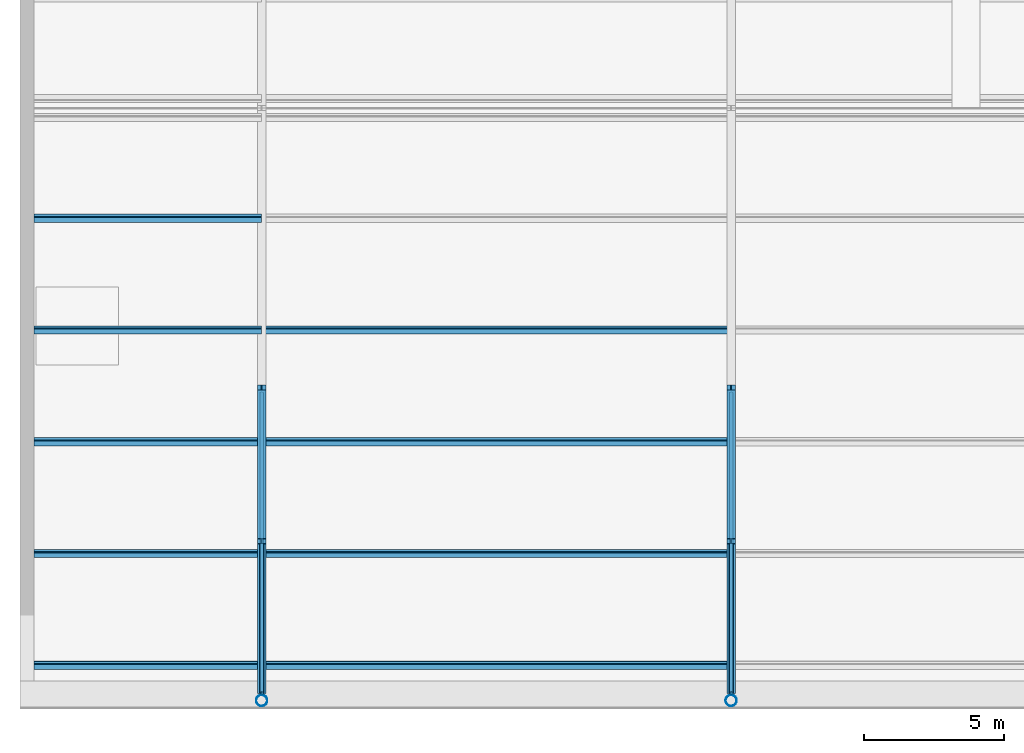
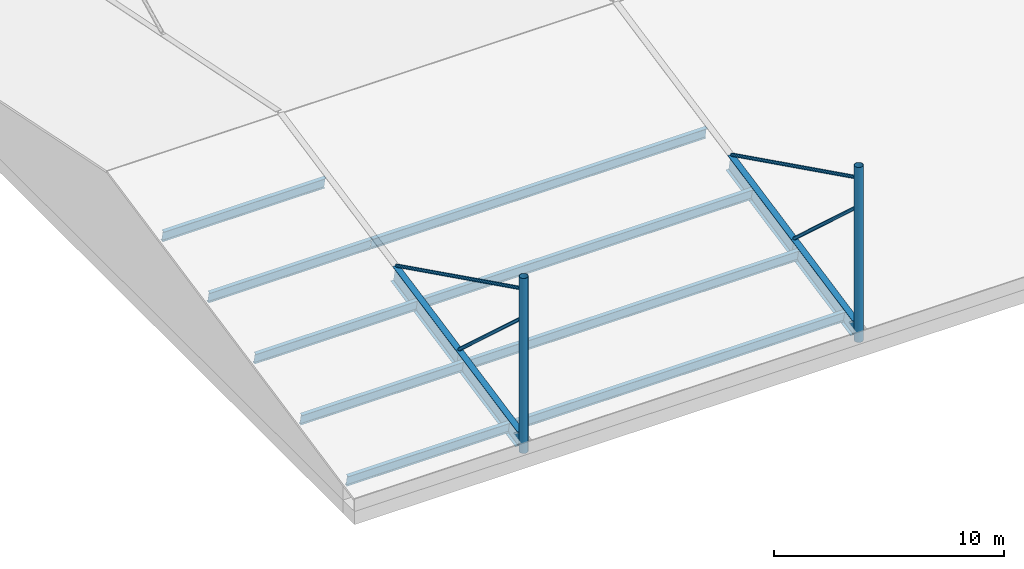
# One storey, part 1 of 8: 15 members, 4 beams.
"""IFC4 building model written with IfcOpenShell, lengths in metres."""

from ifc_helpers import new_model, si_unit, direction, frame, origin, origin_2d, place, context, subcontext, project, spatial, hollow_circle, i_section, extrude, material, material_profile, profile_set, type_object, element, save


model = new_model("IFC4")

# Units and contexts
model_context = context("Model", 3, precision=1e-05, world=origin(), true_north=direction((0.0, 1.0)))
body_context = subcontext(model_context, "Body", "Model", "MODEL_VIEW")
ifc_project = project(units=[si_unit("LENGTHUNIT", "METRE"), si_unit("AREAUNIT", "SQUARE_METRE"), si_unit("VOLUMEUNIT", "CUBIC_METRE"), si_unit("PLANEANGLEUNIT", "RADIAN"), si_unit("MASSUNIT", "GRAM", prefix="KILO")], contexts=[model_context])

# Site, building, storey
site_placement = place(None, origin())
site = spatial("IfcSite", under=ifc_project, at=site_placement, CompositionType="ELEMENT")
building_placement = place(site_placement, origin())
building = spatial("IfcBuilding", under=site, at=building_placement, Name="Ljudholm Concert House", CompositionType="ELEMENT")
storey_placement = place(building_placement, frame((0.0, 0.0, 22.800048828125)))
storey = spatial("IfcBuildingStorey", under=building, at=storey_placement, Name="ROOF", CompositionType="ELEMENT", Elevation=22.800048828125)

# Beams
ifc_material_1 = material(Name="Steel ASTM A992", Category="steel")
ifc_material_profile_1 = material_profile(ifc_material_1, i_section(OverallWidth=0.3046875, OverallDepth=0.904296875, WebThickness=0.01513671875, FlangeThickness=0.02001953125, FilletRadius=0.01904296875, at=origin_2d()), Name="W36X135")
ifc_profile_set_1 = profile_set([ifc_material_profile_1], Name="Steel ASTM A992")
beam_type = type_object("IfcBeamType", Name="STEEL BEAM W36X135 BEAM", PredefinedType="BEAM", material=ifc_profile_set_1)
beam_1_placement = place(storey_placement, frame((37.60009765625, 54.550048828125, 1.14306640625), z_axis=(0.0, 0.979926890772, 0.19935718884), x_axis=(-1.0, 0.0, 0.0)))
element("IfcBeam", 1, at=beam_1_placement, inside=storey, type_object=beam_type, Name="Roof girder G1", PredefinedType="BEAM", context=body_context, shape_type="SweptSolid", body=[
    extrude(i_section(OverallWidth=0.3046875, OverallDepth=0.904296875, WebThickness=0.01513671875, FlangeThickness=0.02001953125, FilletRadius=0.01904296875, at=origin_2d()), origin(), (0.0, 0.0, 1.0), 5.45947265625),
])
beam_2_placement = place(storey_placement, frame((37.60009765625, 59.89990234375, 2.2314453125), z_axis=(0.0, 0.979927877682, 0.199352337687), x_axis=(-1.0, 0.0, 0.0)))
element("IfcBeam", 2, at=beam_2_placement, inside=storey, type_object=beam_type, Name="Roof girder G1", PredefinedType="BEAM", context=body_context, shape_type="SweptSolid", body=[
    extrude(i_section(OverallWidth=0.3046875, OverallDepth=0.904296875, WebThickness=0.01513671875, FlangeThickness=0.02001953125, FilletRadius=0.01904296875, at=origin_2d()), origin(), (0.0, 0.0, 1.0), 5.612548828125),
])
beam_3_placement = place(storey_placement, frame((54.39990234375, 54.550048828125, 1.14306640625), z_axis=(0.0, 0.979926890772, 0.19935718884), x_axis=(-1.0, 0.0, 0.0)))
element("IfcBeam", 3, at=beam_3_placement, inside=storey, type_object=beam_type, Name="Roof girder G2", PredefinedType="BEAM", context=body_context, shape_type="SweptSolid", body=[
    extrude(i_section(OverallWidth=0.3046875, OverallDepth=0.904296875, WebThickness=0.01513671875, FlangeThickness=0.02001953125, FilletRadius=0.01904296875, at=origin_2d()), origin(), (0.0, 0.0, 1.0), 5.45947265625),
])
beam_4_placement = place(storey_placement, frame((54.39990234375, 59.89990234375, 2.2314453125), z_axis=(0.0, 0.979927877682, 0.199352337687), x_axis=(-1.0, 0.0, 0.0)))
element("IfcBeam", 4, at=beam_4_placement, inside=storey, type_object=beam_type, Name="Roof girder G2", PredefinedType="BEAM", context=body_context, shape_type="SweptSolid", body=[
    extrude(i_section(OverallWidth=0.3046875, OverallDepth=0.904296875, WebThickness=0.01513671875, FlangeThickness=0.02001953125, FilletRadius=0.01904296875, at=origin_2d()), origin(), (0.0, 0.0, 1.0), 5.612548828125),
])

# Members
ifc_material_2 = material(Name="Concrete-filled steel tube (Steel ASTM A500 Gr. C, fill Concrete 6,500 psi)", Category="concrete")
ifc_material_profile_2 = material_profile(ifc_material_2, hollow_circle(Radius=0.203125, WallThickness=0.01171875, at=origin_2d()), Name="HSS16.000X0.500")
ifc_profile_set_2 = profile_set([ifc_material_profile_2], Name="Concrete-filled steel tube (Steel ASTM A500 Gr. C, fill Concrete 6,500 psi)")
member_type_1 = type_object("IfcMemberType", Name="STEEL MEMBER HSS16.000X0.500 POST", PredefinedType="POST", material=ifc_profile_set_2)
for number, where, z_axis, x_axis, name in (
    (5, (37.60009765625, 54.199951171875, 0.699951171875), (0.0, 0.0, 1.0), (1.0, 0.0, 0.0), "Roof mast S1"),
    (6, (54.39990234375, 54.199951171875, 0.699951171875), (0.0, 0.0, 1.0), (1.0, 0.0, 0.0), "Roof mast S2"),
):
    element("IfcMember", number, at=place(storey_placement, frame(where, z_axis=z_axis, x_axis=x_axis)), inside=storey, type_object=member_type_1, Name=name, PredefinedType="POST", context=body_context, shape_type="SweptSolid", body=[
        extrude(hollow_circle(Radius=0.203125, WallThickness=0.01171875, at=origin_2d()), origin(), (0.0, 0.0, 1.0), 9.27490234375),
    ])
ifc_material_3 = material(Name="Steel ASTM A500 Gr. C", Category="steel")
ifc_material_profile_3 = material_profile(ifc_material_3, hollow_circle(Radius=0.084228515625, WallThickness=0.006591796875, at=origin_2d()), Name="HSS6.625X0.280")
ifc_profile_set_3 = profile_set([ifc_material_profile_3], Name="Steel ASTM A500 Gr. C")
member_type_2 = type_object("IfcMemberType", Name="STEEL MEMBER HSS6.625X0.280 BRACE", PredefinedType="BRACE", material=ifc_profile_set_3)
member_1_placement = place(storey_placement, frame((37.60009765625, 54.4599609375, 7.5625), z_axis=(0.0, 0.738258890166, -0.674517465371), x_axis=(-1.0, 0.0, 0.0)))
element("IfcMember", 7, at=member_1_placement, inside=storey, type_object=member_type_2, Name="Roof stay S1.1", PredefinedType="BRACE", context=body_context, shape_type="SweptSolid", body=[
    extrude(hollow_circle(Radius=0.084228515625, WallThickness=0.006591796875, at=origin_2d()), origin(), (0.0, 0.0, 1.0), 7.185302734375),
])
member_2_placement = place(storey_placement, frame((37.60009765625, 54.440673828125, 9.1806640625), z_axis=(0.0, 0.895985327461, -0.444083655378), x_axis=(-1.0, 0.0, 0.0)))
element("IfcMember", 8, at=member_2_placement, inside=storey, type_object=member_type_2, Name="Roof stay S1.2", PredefinedType="BRACE", context=body_context, shape_type="SweptSolid", body=[
    extrude(hollow_circle(Radius=0.084228515625, WallThickness=0.006591796875, at=origin_2d()), origin(), (0.0, 0.0, 1.0), 12.022705078125),
])
member_3_placement = place(storey_placement, frame((54.39990234375, 54.4599609375, 7.5625), z_axis=(0.0, 0.738258890166, -0.674517465371), x_axis=(-1.0, 0.0, 0.0)))
element("IfcMember", 9, at=member_3_placement, inside=storey, type_object=member_type_2, Name="Roof stay S2.1", PredefinedType="BRACE", context=body_context, shape_type="SweptSolid", body=[
    extrude(hollow_circle(Radius=0.084228515625, WallThickness=0.006591796875, at=origin_2d()), origin(), (0.0, 0.0, 1.0), 7.185302734375),
])
member_4_placement = place(storey_placement, frame((54.39990234375, 54.440673828125, 9.1806640625), z_axis=(0.0, 0.895985327461, -0.444083655378), x_axis=(-1.0, 0.0, 0.0)))
element("IfcMember", 10, at=member_4_placement, inside=storey, type_object=member_type_2, Name="Roof stay S2.2", PredefinedType="BRACE", context=body_context, shape_type="SweptSolid", body=[
    extrude(hollow_circle(Radius=0.084228515625, WallThickness=0.006591796875, at=origin_2d()), origin(), (0.0, 0.0, 1.0), 12.022705078125),
])
ifc_material_4 = material(Name="Steel ASTM A992", Category="steel")
ifc_material_profile_4 = material_profile(ifc_material_4, i_section(OverallWidth=0.177978515625, OverallDepth=0.599365234375, WebThickness=0.010009765625, FlangeThickness=0.012939453125, FilletRadius=0.012939453125, at=origin_2d()), Name="W24X55")
ifc_profile_set_4 = profile_set([ifc_material_profile_4], Name="Steel ASTM A992")
member_type_3 = type_object("IfcMemberType", Name="STEEL MEMBER W24X55 PURLIN", PredefinedType="PURLIN", material=ifc_profile_set_4)
for number, where, z_axis, x_axis, name in (
    (11, (29.449951171875, 55.459716796875, 1.233642578125), (1.0, 0.0, 0.0), (0.0, 0.979924704621, 0.199367934417), "Purlin"),
    (12, (29.449951171875, 59.459716796875, 2.04736328125), (1.0, 0.0, 0.0), (0.0, 0.979924704621, 0.199367934417), "Purlin"),
    (13, (29.449951171875, 63.459716796875, 2.861328125), (1.0, 0.0, 0.0), (0.0, 0.979924704621, 0.199367934417), "Purlin"),
    (14, (29.449951171875, 67.459716796875, 3.675048828125), (1.0, 0.0, 0.0), (0.0, 0.979924704621, 0.199367934417), "Purlin"),
    (15, (29.449951171875, 71.459716796875, 4.48876953125), (1.0, 0.0, 0.0), (0.0, 0.979924704621, 0.199367934417), "Purlin"),
):
    element("IfcMember", number, at=place(storey_placement, frame(where, z_axis=z_axis, x_axis=x_axis)), inside=storey, type_object=member_type_3, Name=name, PredefinedType="PURLIN", context=body_context, shape_type="SweptSolid", body=[
        extrude(i_section(OverallWidth=0.177978515625, OverallDepth=0.599365234375, WebThickness=0.010009765625, FlangeThickness=0.012939453125, FilletRadius=0.012939453125, at=origin_2d()), origin(), (0.0, 0.0, 1.0), 8.142333984375),
    ])
for number, where, z_axis, x_axis, name in (
    (16, (37.607666015625, 55.459716796875, 1.233642578125), (1.0, 0.0, 0.0), (0.0, 0.979924704621, 0.199367934417), "Purlin"),
    (17, (37.607666015625, 59.459716796875, 2.04736328125), (1.0, 0.0, 0.0), (0.0, 0.979924704621, 0.199367934417), "Purlin"),
    (18, (37.607666015625, 63.459716796875, 2.861328125), (1.0, 0.0, 0.0), (0.0, 0.979924704621, 0.199367934417), "Purlin"),
    (19, (37.607666015625, 67.459716796875, 3.675048828125), (1.0, 0.0, 0.0), (0.0, 0.979924704621, 0.199367934417), "Purlin"),
):
    element("IfcMember", number, at=place(storey_placement, frame(where, z_axis=z_axis, x_axis=x_axis)), inside=storey, type_object=member_type_3, Name=name, PredefinedType="PURLIN", context=body_context, shape_type="SweptSolid", body=[
        extrude(i_section(OverallWidth=0.177978515625, OverallDepth=0.599365234375, WebThickness=0.010009765625, FlangeThickness=0.012939453125, FilletRadius=0.012939453125, at=origin_2d()), origin(), (0.0, 0.0, 1.0), 16.78466796875),
    ])

save(model, "model.ifc")
